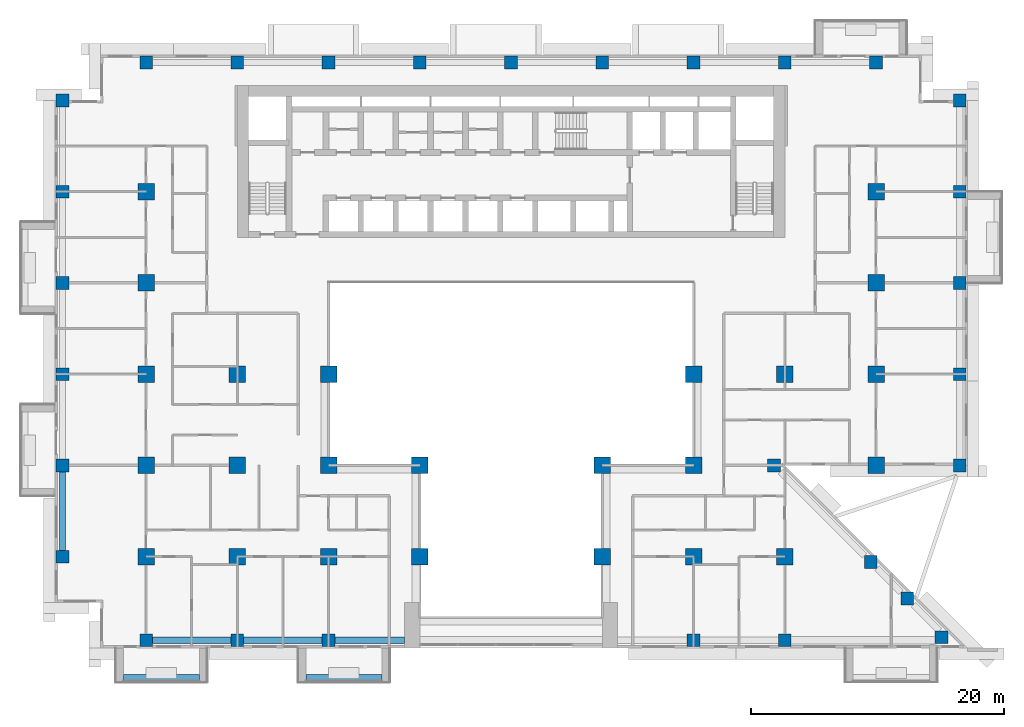
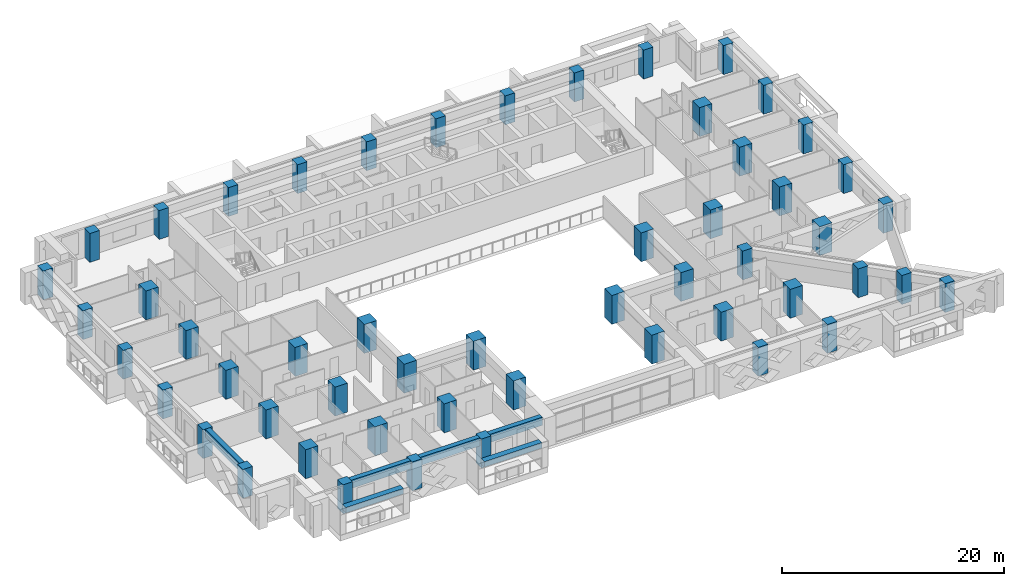
# One storey, part 1 of 17: 53 columns, 6 beams.
"""IFC4 building model written with IfcOpenShell, lengths in metres."""

from ifc_helpers import new_model, si_unit, direction, frame, origin, origin_2d, place, context, subcontext, project, spatial, rectangle, extrude, source, transform, mapped, material, material_profile, profile_set, type_object, element, save


model = new_model("IFC4")

# Units and contexts
model_context = context("Model", 3, precision=1e-05, world=origin(), true_north=direction((0.0, 1.0)))
body_context = subcontext(model_context, "Body", "Model", "MODEL_VIEW")
ifc_project = project(units=[si_unit("LENGTHUNIT", "METRE"), si_unit("AREAUNIT", "SQUARE_METRE"), si_unit("VOLUMEUNIT", "CUBIC_METRE"), si_unit("PLANEANGLEUNIT", "RADIAN"), si_unit("MASSUNIT", "GRAM", prefix="KILO")], contexts=[model_context])

# Site, building, storey
site_placement = place(None, origin())
site = spatial("IfcSite", under=ifc_project, at=site_placement, CompositionType="ELEMENT")
building_placement = place(site_placement, origin())
building = spatial("IfcBuilding", under=site, at=building_placement, Name="Saffron Iwan Residences", CompositionType="ELEMENT")
storey_placement = place(building_placement, frame((0.0, 0.0, 76.0)))
storey = spatial("IfcBuildingStorey", under=building, at=storey_placement, Name="L19", CompositionType="ELEMENT", Elevation=76.0)

# Columns
ifc_material_1 = material(Name="Concrete C60/75", Category="concrete")
ifc_material_profile_1 = material_profile(ifc_material_1, rectangle(XDim=1.0, YDim=1.0, at=origin_2d()), Name="RC 1000x1000")
ifc_profile_set_1 = profile_set([ifc_material_profile_1], Name="Concrete C60/75")
column_type_1 = type_object("IfcColumnType", Name="COL RC 1000x1000 C60/75 3180 HIGH", PredefinedType="COLUMN", material=ifc_profile_set_1)
shared_shape_1 = source(origin(), body_context, "Body", "SweptSolid", [
    extrude(rectangle(XDim=1.0, YDim=1.0, at=origin_2d()), origin(), (0.0, 0.0, 1.0), 3.179931640625),
])
for number, where, z_axis, x_axis, name in (
    (1, (21.60009765625, 34.199951171875, 0.0), (0.0, 0.0, 1.0), (1.0, 0.0, 0.0), "Column C038"),
    (2, (28.800048828125, 34.199951171875, 0.0), (0.0, 0.0, 1.0), (1.0, 0.0, 0.0), "Column C039"),
    (3, (36.0, 34.199951171875, 0.0), (0.0, 0.0, 1.0), (1.0, 0.0, 0.0), "Column C040"),
    (4, (64.800048828125, 34.199951171875, 0.0), (0.0, 0.0, 1.0), (1.0, 0.0, 0.0), "Column C041"),
    (5, (72.0, 34.199951171875, 0.0), (0.0, 0.0, 1.0), (1.0, 0.0, 0.0), "Column C042"),
    (6, (84.367431640625, 34.44189453125, 0.0), (0.0, 0.0, 1.0), (1.0, 0.0, 0.0), "Column C043"),
    (7, (81.65576171875, 37.49560546875, 0.0), (0.0, 0.0, 1.0), (1.0, 0.0, 0.0), "Column C044"),
    (8, (78.775634765625, 40.375732421875, 0.0), (0.0, 0.0, 1.0), (1.0, 0.0, 0.0), "Column C047"),
    (9, (15.0, 40.800048828125, 0.0), (0.0, 0.0, 1.0), (1.0, 0.0, 0.0), "Column C048"),
    (10, (15.0, 48.0, 0.0), (0.0, 0.0, 1.0), (1.0, 0.0, 0.0), "Column C061"),
    (11, (71.14990234375, 48.0, 0.0), (0.0, 0.0, 1.0), (1.0, 0.0, 0.0), "Column C070"),
    (12, (85.800048828125, 48.0, 0.0), (0.0, 0.0, 1.0), (1.0, 0.0, 0.0), "Column C074"),
    (13, (15.0, 55.199951171875, 0.0), (0.0, 0.0, 1.0), (1.0, 0.0, 0.0), "Column C077"),
    (14, (85.800048828125, 55.199951171875, 0.0), (0.0, 0.0, 1.0), (1.0, 0.0, 0.0), "Column C086"),
    (15, (15.0, 62.39990234375, 0.0), (0.0, 0.0, 1.0), (1.0, 0.0, 0.0), "Column C089"),
    (16, (85.800048828125, 62.39990234375, 0.0), (0.0, 0.0, 1.0), (1.0, 0.0, 0.0), "Column C094"),
    (17, (15.0, 69.60009765625, 0.0), (0.0, 0.0, 1.0), (1.0, 0.0, 0.0), "Column C097"),
    (18, (85.800048828125, 69.60009765625, 0.0), (0.0, 0.0, 1.0), (1.0, 0.0, 0.0), "Column C102"),
    (19, (15.0, 76.800048828125, 0.0), (0.0, 0.0, 1.0), (1.0, 0.0, 0.0), "Column C105"),
    (20, (85.800048828125, 76.800048828125, 0.0), (0.0, 0.0, 1.0), (1.0, 0.0, 0.0), "Column C110"),
    (21, (21.60009765625, 79.800048828125, 0.0), (0.0, 0.0, 1.0), (1.0, 0.0, 0.0), "Column C113"),
    (22, (28.800048828125, 79.800048828125, 0.0), (0.0, 0.0, 1.0), (1.0, 0.0, 0.0), "Column C115"),
    (23, (36.0, 79.800048828125, 0.0), (0.0, 0.0, 1.0), (1.0, 0.0, 0.0), "Column C116"),
    (24, (43.199951171875, 79.800048828125, 0.0), (0.0, 0.0, 1.0), (1.0, 0.0, 0.0), "Column C117"),
    (25, (50.39990234375, 79.800048828125, 0.0), (0.0, 0.0, 1.0), (1.0, 0.0, 0.0), "Column C118"),
    (26, (57.60009765625, 79.800048828125, 0.0), (0.0, 0.0, 1.0), (1.0, 0.0, 0.0), "Column C119"),
    (27, (64.800048828125, 79.800048828125, 0.0), (0.0, 0.0, 1.0), (1.0, 0.0, 0.0), "Column C120"),
    (28, (72.0, 79.800048828125, 0.0), (0.0, 0.0, 1.0), (1.0, 0.0, 0.0), "Column C121"),
    (29, (79.199951171875, 79.800048828125, 0.0), (0.0, 0.0, 1.0), (1.0, 0.0, 0.0), "Column C123"),
):
    element("IfcColumn", number, at=place(storey_placement, frame(where, z_axis=z_axis, x_axis=x_axis)), inside=storey, type_object=column_type_1, Name=name, PredefinedType="COLUMN", context=body_context, shape_type="MappedRepresentation", body=[
        mapped(shared_shape_1, transform((0.0, 0.0, 0.0))),
    ])
ifc_material_profile_2 = material_profile(ifc_material_1, rectangle(XDim=1.300048828125, YDim=1.300048828125, at=origin_2d()), Name="RC 1300x1300")
ifc_profile_set_2 = profile_set([ifc_material_profile_2], Name="Concrete C60/75")
column_type_2 = type_object("IfcColumnType", Name="COL RC 1300x1300 C60/75 3180 HIGH", PredefinedType="COLUMN", material=ifc_profile_set_2)
shared_shape_2 = source(origin(), body_context, "Body", "SweptSolid", [
    extrude(rectangle(XDim=1.300048828125, YDim=1.300048828125, at=origin_2d()), origin(), (0.0, 0.0, 1.0), 3.179931640625),
])
for number, where, z_axis, x_axis, name in (
    (30, (21.60009765625, 40.800048828125, 0.0), (0.0, 0.0, 1.0), (1.0, 0.0, 0.0), "Column C049"),
    (31, (28.800048828125, 40.800048828125, 0.0), (0.0, 0.0, 1.0), (1.0, 0.0, 0.0), "Column C051"),
    (32, (36.0, 40.800048828125, 0.0), (0.0, 0.0, 1.0), (1.0, 0.0, 0.0), "Column C052"),
    (33, (43.199951171875, 40.800048828125, 0.0), (0.0, 0.0, 1.0), (1.0, 0.0, 0.0), "Column C053"),
    (34, (57.60009765625, 40.800048828125, 0.0), (0.0, 0.0, 1.0), (1.0, 0.0, 0.0), "Column C054"),
    (35, (64.800048828125, 40.800048828125, 0.0), (0.0, 0.0, 1.0), (1.0, 0.0, 0.0), "Column C055"),
    (36, (72.0, 40.800048828125, 0.0), (0.0, 0.0, 1.0), (1.0, 0.0, 0.0), "Column C056"),
    (37, (21.60009765625, 48.0, 0.0), (0.0, 0.0, 1.0), (1.0, 0.0, 0.0), "Column C063"),
    (38, (28.800048828125, 48.0, 0.0), (0.0, 0.0, 1.0), (1.0, 0.0, 0.0), "Column C064"),
    (39, (36.0, 48.0, 0.0), (0.0, 0.0, 1.0), (1.0, 0.0, 0.0), "Column C065"),
    (40, (43.199951171875, 48.0, 0.0), (0.0, 0.0, 1.0), (1.0, 0.0, 0.0), "Column C066"),
    (41, (57.60009765625, 48.0, 0.0), (0.0, 0.0, 1.0), (1.0, 0.0, 0.0), "Column C068"),
    (42, (64.800048828125, 48.0, 0.0), (0.0, 0.0, 1.0), (1.0, 0.0, 0.0), "Column C069"),
    (43, (79.199951171875, 48.0, 0.0), (0.0, 0.0, 1.0), (1.0, 0.0, 0.0), "Column C072"),
    (44, (21.60009765625, 55.199951171875, 0.0), (0.0, 0.0, 1.0), (1.0, 0.0, 0.0), "Column C079"),
    (45, (28.800048828125, 55.199951171875, 0.0), (0.0, 0.0, 1.0), (1.0, 0.0, 0.0), "Column C080"),
    (46, (36.0, 55.199951171875, 0.0), (0.0, 0.0, 1.0), (1.0, 0.0, 0.0), "Column C081"),
    (47, (64.800048828125, 55.199951171875, 0.0), (0.0, 0.0, 1.0), (1.0, 0.0, 0.0), "Column C082"),
    (48, (72.0, 55.199951171875, 0.0), (0.0, 0.0, 1.0), (1.0, 0.0, 0.0), "Column C083"),
    (49, (79.199951171875, 55.199951171875, 0.0), (0.0, 0.0, 1.0), (1.0, 0.0, 0.0), "Column C084"),
    (50, (21.60009765625, 62.39990234375, 0.0), (0.0, 0.0, 1.0), (1.0, 0.0, 0.0), "Column C091"),
    (51, (79.199951171875, 62.39990234375, 0.0), (0.0, 0.0, 1.0), (1.0, 0.0, 0.0), "Column C092"),
    (52, (21.60009765625, 69.60009765625, 0.0), (0.0, 0.0, 1.0), (1.0, 0.0, 0.0), "Column C099"),
    (53, (79.199951171875, 69.60009765625, 0.0), (0.0, 0.0, 1.0), (1.0, 0.0, 0.0), "Column C100"),
):
    element("IfcColumn", number, at=place(storey_placement, frame(where, z_axis=z_axis, x_axis=x_axis)), inside=storey, type_object=column_type_2, Name=name, PredefinedType="COLUMN", context=body_context, shape_type="MappedRepresentation", body=[
        mapped(shared_shape_2, transform((0.0, 0.0, 0.0))),
    ])

# Beams
ifc_material_profile_3 = material_profile(ifc_material_1, rectangle(XDim=0.5, YDim=0.89990234375, at=origin_2d()), Name="RC 500x900")
ifc_profile_set_3 = profile_set([ifc_material_profile_3], Name="Concrete C60/75")
beam_type_1 = type_object("IfcBeamType", Name="SPANDREL BEAM RC 500x900 C60/75 TOP 3180", PredefinedType="SPANDREL", material=ifc_profile_set_3)
shared_shape_3 = source(origin(), body_context, "Body", "SweptSolid", [
    extrude(rectangle(XDim=0.5, YDim=0.89990234375, at=origin_2d()), origin(), (0.0, 0.0, 1.0), 6.199951171875),
])
for number, where, z_axis, x_axis, name in (
    (54, (28.300048828125, 34.199951171875, 2.72998046875), (-1.0, 0.0, 0.0), (0.0, -1.0, 0.0), "Spandrel beam"),
    (55, (35.5, 34.199951171875, 2.72998046875), (-1.0, 0.0, 0.0), (0.0, -1.0, 0.0), "Spandrel beam"),
    (56, (15.0, 41.300048828125, 2.72998046875), (0.0, 1.0, 0.0), (-1.0, 0.0, 0.0), "Spandrel beam"),
):
    element("IfcBeam", number, at=place(storey_placement, frame(where, z_axis=z_axis, x_axis=x_axis)), inside=storey, type_object=beam_type_1, Name=name, PredefinedType="SPANDREL", context=body_context, shape_type="MappedRepresentation", body=[
        mapped(shared_shape_3, transform((0.0, 0.0, 0.0))),
    ])
shared_shape_4 = source(origin(), body_context, "Body", "SweptSolid", [
    extrude(rectangle(XDim=0.5, YDim=0.89990234375, at=origin_2d()), origin(), (0.0, 0.0, 1.0), 5.5),
])
beam_placement = place(storey_placement, frame((42.0, 34.199951171875, 2.72998046875), z_axis=(-1.0, 0.0, 0.0), x_axis=(0.0, -1.0, 0.0)))
element("IfcBeam", 57, at=beam_placement, inside=storey, type_object=beam_type_1, Name="Spandrel beam", PredefinedType="SPANDREL", context=body_context, shape_type="MappedRepresentation", body=[
    mapped(shared_shape_4, transform((0.0, 0.0, 0.0))),
])
ifc_material_2 = material(Name="Concrete C50/60 white painted", Category="concrete")
ifc_material_profile_4 = material_profile(ifc_material_2, rectangle(XDim=0.60009765625, YDim=0.60009765625, at=origin_2d()), Name="BALCONY FASCIA BEAM 600 x 600")
ifc_profile_set_4 = profile_set([ifc_material_profile_4], Name="Concrete C50/60 white painted")
beam_type_2 = type_object("IfcBeamType", Name="BALCONY FASCIA BEAM 600 x 600", PredefinedType="BEAM", material=ifc_profile_set_4)
shared_shape_5 = source(origin(), body_context, "Body", "SweptSolid", [
    extrude(rectangle(XDim=0.60009765625, YDim=0.60009765625, at=origin_2d()), origin(), (0.0, 0.0, 1.0), 6.0),
])
for number, where, z_axis, x_axis, name in (
    (58, (19.800048828125, 31.199951171875, 2.550048828125), (1.0, 0.0, 0.0), (0.0, 1.0, 0.0), "Balcony fascia beam L19 11-0"),
    (59, (34.199951171875, 31.199951171875, 2.550048828125), (1.0, 0.0, 0.0), (0.0, 1.0, 0.0), "Balcony fascia beam L19 11-1"),
):
    element("IfcBeam", number, at=place(storey_placement, frame(where, z_axis=z_axis, x_axis=x_axis)), inside=storey, type_object=beam_type_2, Name=name, PredefinedType="BEAM", context=body_context, shape_type="MappedRepresentation", body=[
        mapped(shared_shape_5, transform((0.0, 0.0, 0.0))),
    ])

save(model, "model.ifc")
